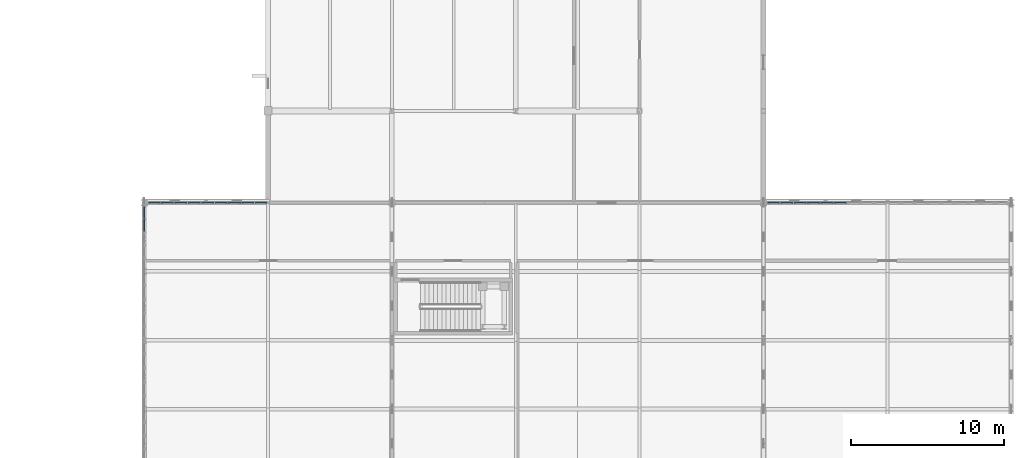
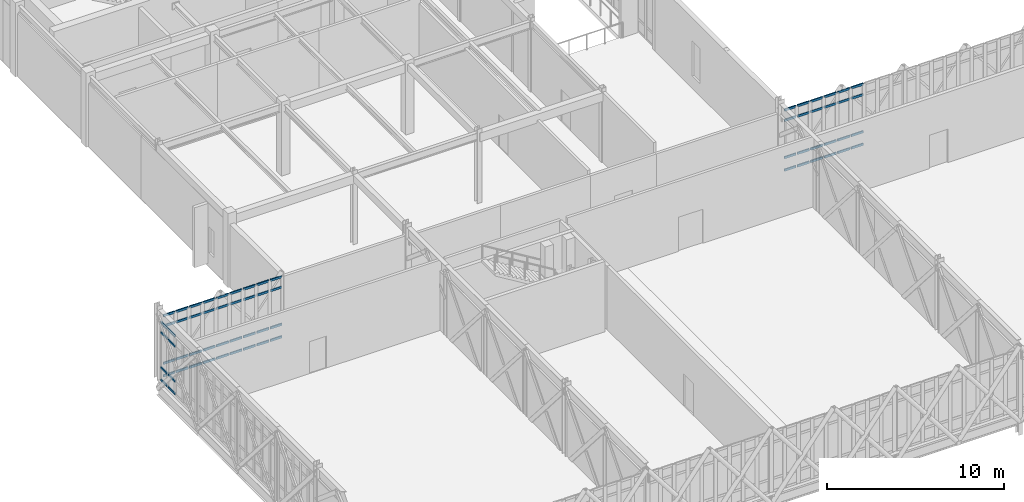
# One storey, part 48 of 107: 68 members, 3 elements without a shape of their own.
"""IFC4 building model written with IfcOpenShell, lengths in metres."""

from ifc_helpers import new_model, si_unit, direction, frame, origin, origin_2d, place, context, subcontext, project, spatial, rectangle, extrude, material, material_profile, profile_set, type_object, element, aggregate, save


model = new_model("IFC4")

# Units and contexts
model_context = context("Model", 3, precision=1e-05, world=origin(), true_north=direction((0.0, 1.0)))
body_context = subcontext(model_context, "Body", "Model", "MODEL_VIEW")
ifc_project = project(units=[si_unit("LENGTHUNIT", "METRE"), si_unit("AREAUNIT", "SQUARE_METRE"), si_unit("VOLUMEUNIT", "CUBIC_METRE"), si_unit("PLANEANGLEUNIT", "RADIAN"), si_unit("MASSUNIT", "GRAM", prefix="KILO")], contexts=[model_context])

# Site, building, storey
site_placement = place(None, origin())
site = spatial("IfcSite", under=ifc_project, at=site_placement, CompositionType="ELEMENT")
building_placement = place(site_placement, origin())
building = spatial("IfcBuilding", under=site, at=building_placement, Name="Tarnveldt Square Police Headquarters", CompositionType="ELEMENT")
storey_placement = place(building_placement, frame((0.0, 0.0, 14.699951171875)))
storey = spatial("IfcBuildingStorey", under=building, at=storey_placement, Name="L03", CompositionType="ELEMENT", Elevation=14.699951171875)

# Curtain wall, members
ifc_material_1 = material(Name="UL 752 Level III laminated ballistic vision glass", Category="glass")
curtain_wall_type_1 = type_object("IfcCurtainWallType", Name="CW-BL-790x422", PredefinedType="USERDEFINED", material=ifc_material_1)
curtain_wall_1_placement = place(storey_placement, origin())
curtain_wall_1 = element("IfcCurtainWall", 1, at=curtain_wall_1_placement, inside=storey, type_object=curtain_wall_type_1, Name="L03 Curtain Wall CW-L03-030", ObjectType="BALLISTIC CURTAIN WALL", PredefinedType="USERDEFINED")
ifc_material_2 = material(Name="Thermally broken anodised aluminium 6063-T6", Category="aluminium")
ifc_material_profile = material_profile(ifc_material_2, rectangle(XDim=0.074951171875, YDim=0.14990234375, at=origin_2d()), Name="CW-T75x150")
ifc_profile_set = profile_set([ifc_material_profile], Name="Thermally broken anodised aluminium 6063-T6")
member_type = type_object("IfcMemberType", Name="CWT-75x150", PredefinedType="USERDEFINED", material=ifc_profile_set)
member_1_placement = place(storey_placement, frame((8.386962890625, 34.0, 0.03759765625), z_axis=(1.0, 0.0, 0.0), x_axis=(0.0, 1.0, 0.0)))
member_1 = element("IfcMember", 2, at=member_1_placement, type_object=member_type, Name="CW-BL14 transom 1.1", ObjectType="TRANSOM", PredefinedType="USERDEFINED", context=body_context, shape_type="SweptSolid", body=[
    extrude(rectangle(XDim=0.074951171875, YDim=0.14990234375, at=origin_2d()), origin(), (0.0, 0.0, 1.0), 0.75),
])
member_2_placement = place(storey_placement, frame((8.386962890625, 34.0, 0.900146484375), z_axis=(1.0, 0.0, 0.0), x_axis=(0.0, 1.0, 0.0)))
member_2 = element("IfcMember", 3, at=member_2_placement, type_object=member_type, Name="CW-BL14 transom 1.2", ObjectType="TRANSOM", PredefinedType="USERDEFINED", context=body_context, shape_type="SweptSolid", body=[
    extrude(rectangle(XDim=0.074951171875, YDim=0.14990234375, at=origin_2d()), origin(), (0.0, 0.0, 1.0), 0.75),
])
member_3_placement = place(storey_placement, frame((8.386962890625, 34.0, 3.469970703125), z_axis=(1.0, 0.0, 0.0), x_axis=(0.0, 1.0, 0.0)))
member_3 = element("IfcMember", 4, at=member_3_placement, type_object=member_type, Name="CW-BL14 transom 1.3", ObjectType="TRANSOM", PredefinedType="USERDEFINED", context=body_context, shape_type="SweptSolid", body=[
    extrude(rectangle(XDim=0.074951171875, YDim=0.14990234375, at=origin_2d()), origin(), (0.0, 0.0, 1.0), 0.75),
])
member_4_placement = place(storey_placement, frame((8.386962890625, 34.0, 4.1826171875), z_axis=(1.0, 0.0, 0.0), x_axis=(0.0, 1.0, 0.0)))
member_4 = element("IfcMember", 5, at=member_4_placement, type_object=member_type, Name="CW-BL14 transom 1.4", ObjectType="TRANSOM", PredefinedType="USERDEFINED", context=body_context, shape_type="SweptSolid", body=[
    extrude(rectangle(XDim=0.074951171875, YDim=0.14990234375, at=origin_2d()), origin(), (0.0, 0.0, 1.0), 0.75),
])
member_5_placement = place(storey_placement, frame((9.22216796875, 34.0, 0.03759765625), z_axis=(1.0, 0.0, 0.0), x_axis=(0.0, 1.0, 0.0)))
member_5 = element("IfcMember", 6, at=member_5_placement, type_object=member_type, Name="CW-BL14 transom 2.1", ObjectType="TRANSOM", PredefinedType="USERDEFINED", context=body_context, shape_type="SweptSolid", body=[
    extrude(rectangle(XDim=0.074951171875, YDim=0.14990234375, at=origin_2d()), origin(), (0.0, 0.0, 1.0), 0.79248046875),
])
member_6_placement = place(storey_placement, frame((9.22216796875, 34.0, 0.900146484375), z_axis=(1.0, 0.0, 0.0), x_axis=(0.0, 1.0, 0.0)))
member_6 = element("IfcMember", 7, at=member_6_placement, type_object=member_type, Name="CW-BL14 transom 2.2", ObjectType="TRANSOM", PredefinedType="USERDEFINED", context=body_context, shape_type="SweptSolid", body=[
    extrude(rectangle(XDim=0.074951171875, YDim=0.14990234375, at=origin_2d()), origin(), (0.0, 0.0, 1.0), 0.79248046875),
])
member_7_placement = place(storey_placement, frame((9.22216796875, 34.0, 3.469970703125), z_axis=(1.0, 0.0, 0.0), x_axis=(0.0, 1.0, 0.0)))
member_7 = element("IfcMember", 8, at=member_7_placement, type_object=member_type, Name="CW-BL14 transom 2.3", ObjectType="TRANSOM", PredefinedType="USERDEFINED", context=body_context, shape_type="SweptSolid", body=[
    extrude(rectangle(XDim=0.074951171875, YDim=0.14990234375, at=origin_2d()), origin(), (0.0, 0.0, 1.0), 0.79248046875),
])
member_8_placement = place(storey_placement, frame((9.22216796875, 34.0, 4.1826171875), z_axis=(1.0, 0.0, 0.0), x_axis=(0.0, 1.0, 0.0)))
member_8 = element("IfcMember", 9, at=member_8_placement, type_object=member_type, Name="CW-BL14 transom 2.4", ObjectType="TRANSOM", PredefinedType="USERDEFINED", context=body_context, shape_type="SweptSolid", body=[
    extrude(rectangle(XDim=0.074951171875, YDim=0.14990234375, at=origin_2d()), origin(), (0.0, 0.0, 1.0), 0.79248046875),
])
member_9_placement = place(storey_placement, frame((10.099609375, 34.0, 0.03759765625), z_axis=(1.0, 0.0, 0.0), x_axis=(0.0, 1.0, 0.0)))
member_9 = element("IfcMember", 10, at=member_9_placement, type_object=member_type, Name="CW-BL14 transom 3.1", ObjectType="TRANSOM", PredefinedType="USERDEFINED", context=body_context, shape_type="SweptSolid", body=[
    extrude(rectangle(XDim=0.074951171875, YDim=0.14990234375, at=origin_2d()), origin(), (0.0, 0.0, 1.0), 0.79248046875),
])
member_10_placement = place(storey_placement, frame((10.099609375, 34.0, 0.900146484375), z_axis=(1.0, 0.0, 0.0), x_axis=(0.0, 1.0, 0.0)))
member_10 = element("IfcMember", 11, at=member_10_placement, type_object=member_type, Name="CW-BL14 transom 3.2", ObjectType="TRANSOM", PredefinedType="USERDEFINED", context=body_context, shape_type="SweptSolid", body=[
    extrude(rectangle(XDim=0.074951171875, YDim=0.14990234375, at=origin_2d()), origin(), (0.0, 0.0, 1.0), 0.79248046875),
])
member_11_placement = place(storey_placement, frame((10.099609375, 34.0, 3.469970703125), z_axis=(1.0, 0.0, 0.0), x_axis=(0.0, 1.0, 0.0)))
member_11 = element("IfcMember", 12, at=member_11_placement, type_object=member_type, Name="CW-BL14 transom 3.3", ObjectType="TRANSOM", PredefinedType="USERDEFINED", context=body_context, shape_type="SweptSolid", body=[
    extrude(rectangle(XDim=0.074951171875, YDim=0.14990234375, at=origin_2d()), origin(), (0.0, 0.0, 1.0), 0.79248046875),
])
member_12_placement = place(storey_placement, frame((10.099609375, 34.0, 4.1826171875), z_axis=(1.0, 0.0, 0.0), x_axis=(0.0, 1.0, 0.0)))
member_12 = element("IfcMember", 13, at=member_12_placement, type_object=member_type, Name="CW-BL14 transom 3.4", ObjectType="TRANSOM", PredefinedType="USERDEFINED", context=body_context, shape_type="SweptSolid", body=[
    extrude(rectangle(XDim=0.074951171875, YDim=0.14990234375, at=origin_2d()), origin(), (0.0, 0.0, 1.0), 0.79248046875),
])
member_13_placement = place(storey_placement, frame((10.97705078125, 34.0, 0.03759765625), z_axis=(1.0, 0.0, 0.0), x_axis=(0.0, 1.0, 0.0)))
member_13 = element("IfcMember", 14, at=member_13_placement, type_object=member_type, Name="CW-BL14 transom 4.1", ObjectType="TRANSOM", PredefinedType="USERDEFINED", context=body_context, shape_type="SweptSolid", body=[
    extrude(rectangle(XDim=0.074951171875, YDim=0.14990234375, at=origin_2d()), origin(), (0.0, 0.0, 1.0), 0.792724609375),
])
member_14_placement = place(storey_placement, frame((10.97705078125, 34.0, 0.900146484375), z_axis=(1.0, 0.0, 0.0), x_axis=(0.0, 1.0, 0.0)))
member_14 = element("IfcMember", 15, at=member_14_placement, type_object=member_type, Name="CW-BL14 transom 4.2", ObjectType="TRANSOM", PredefinedType="USERDEFINED", context=body_context, shape_type="SweptSolid", body=[
    extrude(rectangle(XDim=0.074951171875, YDim=0.14990234375, at=origin_2d()), origin(), (0.0, 0.0, 1.0), 0.792724609375),
])
member_15_placement = place(storey_placement, frame((10.97705078125, 34.0, 3.469970703125), z_axis=(1.0, 0.0, 0.0), x_axis=(0.0, 1.0, 0.0)))
member_15 = element("IfcMember", 16, at=member_15_placement, type_object=member_type, Name="CW-BL14 transom 4.3", ObjectType="TRANSOM", PredefinedType="USERDEFINED", context=body_context, shape_type="SweptSolid", body=[
    extrude(rectangle(XDim=0.074951171875, YDim=0.14990234375, at=origin_2d()), origin(), (0.0, 0.0, 1.0), 0.792724609375),
])
member_16_placement = place(storey_placement, frame((10.97705078125, 34.0, 4.1826171875), z_axis=(1.0, 0.0, 0.0), x_axis=(0.0, 1.0, 0.0)))
member_16 = element("IfcMember", 17, at=member_16_placement, type_object=member_type, Name="CW-BL14 transom 4.4", ObjectType="TRANSOM", PredefinedType="USERDEFINED", context=body_context, shape_type="SweptSolid", body=[
    extrude(rectangle(XDim=0.074951171875, YDim=0.14990234375, at=origin_2d()), origin(), (0.0, 0.0, 1.0), 0.792724609375),
])
member_17_placement = place(storey_placement, frame((11.854736328125, 34.0, 0.03759765625), z_axis=(1.0, 0.0, 0.0), x_axis=(0.0, 1.0, 0.0)))
member_17 = element("IfcMember", 18, at=member_17_placement, type_object=member_type, Name="CW-BL14 transom 5.1", ObjectType="TRANSOM", PredefinedType="USERDEFINED", context=body_context, shape_type="SweptSolid", body=[
    extrude(rectangle(XDim=0.074951171875, YDim=0.14990234375, at=origin_2d()), origin(), (0.0, 0.0, 1.0), 0.79248046875),
])
member_18_placement = place(storey_placement, frame((11.854736328125, 34.0, 0.900146484375), z_axis=(1.0, 0.0, 0.0), x_axis=(0.0, 1.0, 0.0)))
member_18 = element("IfcMember", 19, at=member_18_placement, type_object=member_type, Name="CW-BL14 transom 5.2", ObjectType="TRANSOM", PredefinedType="USERDEFINED", context=body_context, shape_type="SweptSolid", body=[
    extrude(rectangle(XDim=0.074951171875, YDim=0.14990234375, at=origin_2d()), origin(), (0.0, 0.0, 1.0), 0.79248046875),
])
member_19_placement = place(storey_placement, frame((11.854736328125, 34.0, 3.469970703125), z_axis=(1.0, 0.0, 0.0), x_axis=(0.0, 1.0, 0.0)))
member_19 = element("IfcMember", 20, at=member_19_placement, type_object=member_type, Name="CW-BL14 transom 5.3", ObjectType="TRANSOM", PredefinedType="USERDEFINED", context=body_context, shape_type="SweptSolid", body=[
    extrude(rectangle(XDim=0.074951171875, YDim=0.14990234375, at=origin_2d()), origin(), (0.0, 0.0, 1.0), 0.79248046875),
])
member_20_placement = place(storey_placement, frame((11.854736328125, 34.0, 4.1826171875), z_axis=(1.0, 0.0, 0.0), x_axis=(0.0, 1.0, 0.0)))
member_20 = element("IfcMember", 21, at=member_20_placement, type_object=member_type, Name="CW-BL14 transom 5.4", ObjectType="TRANSOM", PredefinedType="USERDEFINED", context=body_context, shape_type="SweptSolid", body=[
    extrude(rectangle(XDim=0.074951171875, YDim=0.14990234375, at=origin_2d()), origin(), (0.0, 0.0, 1.0), 0.79248046875),
])
member_21_placement = place(storey_placement, frame((12.732177734375, 34.0, 0.03759765625), z_axis=(1.0, 0.0, 0.0), x_axis=(0.0, 1.0, 0.0)))
member_21 = element("IfcMember", 22, at=member_21_placement, type_object=member_type, Name="CW-BL14 transom 6.1", ObjectType="TRANSOM", PredefinedType="USERDEFINED", context=body_context, shape_type="SweptSolid", body=[
    extrude(rectangle(XDim=0.074951171875, YDim=0.14990234375, at=origin_2d()), origin(), (0.0, 0.0, 1.0), 0.792724609375),
])
member_22_placement = place(storey_placement, frame((12.732177734375, 34.0, 0.900146484375), z_axis=(1.0, 0.0, 0.0), x_axis=(0.0, 1.0, 0.0)))
member_22 = element("IfcMember", 23, at=member_22_placement, type_object=member_type, Name="CW-BL14 transom 6.2", ObjectType="TRANSOM", PredefinedType="USERDEFINED", context=body_context, shape_type="SweptSolid", body=[
    extrude(rectangle(XDim=0.074951171875, YDim=0.14990234375, at=origin_2d()), origin(), (0.0, 0.0, 1.0), 0.792724609375),
])
member_23_placement = place(storey_placement, frame((12.732177734375, 34.0, 3.469970703125), z_axis=(1.0, 0.0, 0.0), x_axis=(0.0, 1.0, 0.0)))
member_23 = element("IfcMember", 24, at=member_23_placement, type_object=member_type, Name="CW-BL14 transom 6.3", ObjectType="TRANSOM", PredefinedType="USERDEFINED", context=body_context, shape_type="SweptSolid", body=[
    extrude(rectangle(XDim=0.074951171875, YDim=0.14990234375, at=origin_2d()), origin(), (0.0, 0.0, 1.0), 0.792724609375),
])
member_24_placement = place(storey_placement, frame((12.732177734375, 34.0, 4.1826171875), z_axis=(1.0, 0.0, 0.0), x_axis=(0.0, 1.0, 0.0)))
member_24 = element("IfcMember", 25, at=member_24_placement, type_object=member_type, Name="CW-BL14 transom 6.4", ObjectType="TRANSOM", PredefinedType="USERDEFINED", context=body_context, shape_type="SweptSolid", body=[
    extrude(rectangle(XDim=0.074951171875, YDim=0.14990234375, at=origin_2d()), origin(), (0.0, 0.0, 1.0), 0.792724609375),
])
member_25_placement = place(storey_placement, frame((13.60986328125, 34.0, 0.03759765625), z_axis=(1.0, 0.0, 0.0), x_axis=(0.0, 1.0, 0.0)))
member_25 = element("IfcMember", 26, at=member_25_placement, type_object=member_type, Name="CW-BL14 transom 7.1", ObjectType="TRANSOM", PredefinedType="USERDEFINED", context=body_context, shape_type="SweptSolid", body=[
    extrude(rectangle(XDim=0.074951171875, YDim=0.14990234375, at=origin_2d()), origin(), (0.0, 0.0, 1.0), 0.79248046875),
])
member_26_placement = place(storey_placement, frame((13.60986328125, 34.0, 0.900146484375), z_axis=(1.0, 0.0, 0.0), x_axis=(0.0, 1.0, 0.0)))
member_26 = element("IfcMember", 27, at=member_26_placement, type_object=member_type, Name="CW-BL14 transom 7.2", ObjectType="TRANSOM", PredefinedType="USERDEFINED", context=body_context, shape_type="SweptSolid", body=[
    extrude(rectangle(XDim=0.074951171875, YDim=0.14990234375, at=origin_2d()), origin(), (0.0, 0.0, 1.0), 0.79248046875),
])
member_27_placement = place(storey_placement, frame((13.60986328125, 34.0, 3.469970703125), z_axis=(1.0, 0.0, 0.0), x_axis=(0.0, 1.0, 0.0)))
member_27 = element("IfcMember", 28, at=member_27_placement, type_object=member_type, Name="CW-BL14 transom 7.3", ObjectType="TRANSOM", PredefinedType="USERDEFINED", context=body_context, shape_type="SweptSolid", body=[
    extrude(rectangle(XDim=0.074951171875, YDim=0.14990234375, at=origin_2d()), origin(), (0.0, 0.0, 1.0), 0.79248046875),
])
member_28_placement = place(storey_placement, frame((13.60986328125, 34.0, 4.1826171875), z_axis=(1.0, 0.0, 0.0), x_axis=(0.0, 1.0, 0.0)))
member_28 = element("IfcMember", 29, at=member_28_placement, type_object=member_type, Name="CW-BL14 transom 7.4", ObjectType="TRANSOM", PredefinedType="USERDEFINED", context=body_context, shape_type="SweptSolid", body=[
    extrude(rectangle(XDim=0.074951171875, YDim=0.14990234375, at=origin_2d()), origin(), (0.0, 0.0, 1.0), 0.79248046875),
])
member_29_placement = place(storey_placement, frame((14.4873046875, 34.0, 0.03759765625), z_axis=(1.0, 0.0, 0.0), x_axis=(0.0, 1.0, 0.0)))
member_29 = element("IfcMember", 30, at=member_29_placement, type_object=member_type, Name="CW-BL14 transom 8.1", ObjectType="TRANSOM", PredefinedType="USERDEFINED", context=body_context, shape_type="SweptSolid", body=[
    extrude(rectangle(XDim=0.074951171875, YDim=0.14990234375, at=origin_2d()), origin(), (0.0, 0.0, 1.0), 0.792724609375),
])
member_30_placement = place(storey_placement, frame((14.4873046875, 34.0, 0.900146484375), z_axis=(1.0, 0.0, 0.0), x_axis=(0.0, 1.0, 0.0)))
member_30 = element("IfcMember", 31, at=member_30_placement, type_object=member_type, Name="CW-BL14 transom 8.2", ObjectType="TRANSOM", PredefinedType="USERDEFINED", context=body_context, shape_type="SweptSolid", body=[
    extrude(rectangle(XDim=0.074951171875, YDim=0.14990234375, at=origin_2d()), origin(), (0.0, 0.0, 1.0), 0.792724609375),
])
member_31_placement = place(storey_placement, frame((14.4873046875, 34.0, 3.469970703125), z_axis=(1.0, 0.0, 0.0), x_axis=(0.0, 1.0, 0.0)))
member_31 = element("IfcMember", 32, at=member_31_placement, type_object=member_type, Name="CW-BL14 transom 8.3", ObjectType="TRANSOM", PredefinedType="USERDEFINED", context=body_context, shape_type="SweptSolid", body=[
    extrude(rectangle(XDim=0.074951171875, YDim=0.14990234375, at=origin_2d()), origin(), (0.0, 0.0, 1.0), 0.792724609375),
])
member_32_placement = place(storey_placement, frame((14.4873046875, 34.0, 4.1826171875), z_axis=(1.0, 0.0, 0.0), x_axis=(0.0, 1.0, 0.0)))
member_32 = element("IfcMember", 33, at=member_32_placement, type_object=member_type, Name="CW-BL14 transom 8.4", ObjectType="TRANSOM", PredefinedType="USERDEFINED", context=body_context, shape_type="SweptSolid", body=[
    extrude(rectangle(XDim=0.074951171875, YDim=0.14990234375, at=origin_2d()), origin(), (0.0, 0.0, 1.0), 0.792724609375),
])
member_33_placement = place(storey_placement, frame((15.364990234375, 34.0, 0.03759765625), z_axis=(1.0, 0.0, 0.0), x_axis=(0.0, 1.0, 0.0)))
member_33 = element("IfcMember", 34, at=member_33_placement, type_object=member_type, Name="CW-BL14 transom 9.1", ObjectType="TRANSOM", PredefinedType="USERDEFINED", context=body_context, shape_type="SweptSolid", body=[
    extrude(rectangle(XDim=0.074951171875, YDim=0.14990234375, at=origin_2d()), origin(), (0.0, 0.0, 1.0), 0.75),
])
member_34_placement = place(storey_placement, frame((15.364990234375, 34.0, 0.900146484375), z_axis=(1.0, 0.0, 0.0), x_axis=(0.0, 1.0, 0.0)))
member_34 = element("IfcMember", 35, at=member_34_placement, type_object=member_type, Name="CW-BL14 transom 9.2", ObjectType="TRANSOM", PredefinedType="USERDEFINED", context=body_context, shape_type="SweptSolid", body=[
    extrude(rectangle(XDim=0.074951171875, YDim=0.14990234375, at=origin_2d()), origin(), (0.0, 0.0, 1.0), 0.75),
])
member_35_placement = place(storey_placement, frame((15.364990234375, 34.0, 3.469970703125), z_axis=(1.0, 0.0, 0.0), x_axis=(0.0, 1.0, 0.0)))
member_35 = element("IfcMember", 36, at=member_35_placement, type_object=member_type, Name="CW-BL14 transom 9.3", ObjectType="TRANSOM", PredefinedType="USERDEFINED", context=body_context, shape_type="SweptSolid", body=[
    extrude(rectangle(XDim=0.074951171875, YDim=0.14990234375, at=origin_2d()), origin(), (0.0, 0.0, 1.0), 0.75),
])
member_36_placement = place(storey_placement, frame((15.364990234375, 34.0, 4.1826171875), z_axis=(1.0, 0.0, 0.0), x_axis=(0.0, 1.0, 0.0)))
member_36 = element("IfcMember", 37, at=member_36_placement, type_object=member_type, Name="CW-BL14 transom 9.4", ObjectType="TRANSOM", PredefinedType="USERDEFINED", context=body_context, shape_type="SweptSolid", body=[
    extrude(rectangle(XDim=0.074951171875, YDim=0.14990234375, at=origin_2d()), origin(), (0.0, 0.0, 1.0), 0.75),
])
aggregate(curtain_wall_1, [member_1, member_2, member_3, member_4, member_5, member_6, member_7, member_8, member_9, member_10, member_11, member_12, member_13, member_14, member_15, member_16, member_17, member_18, member_19, member_20, member_21, member_22, member_23, member_24, member_25, member_26, member_27, member_28, member_29, member_30, member_31, member_32, member_33, member_34, member_35, member_36])

curtain_wall_2_placement = place(storey_placement, origin())
curtain_wall_2 = element("IfcCurtainWall", 38, at=curtain_wall_2_placement, inside=storey, type_object=curtain_wall_type_1, Name="L03 Curtain Wall CW-L03-031", ObjectType="BALLISTIC CURTAIN WALL", PredefinedType="USERDEFINED")
member_37_placement = place(storey_placement, frame((48.886962890625, 34.0, 0.03759765625), z_axis=(1.0, 0.0, 0.0), x_axis=(0.0, 1.0, 0.0)))
member_37 = element("IfcMember", 39, at=member_37_placement, type_object=member_type, Name="CW-BL14 transom 1.1", ObjectType="TRANSOM", PredefinedType="USERDEFINED", context=body_context, shape_type="SweptSolid", body=[
    extrude(rectangle(XDim=0.074951171875, YDim=0.14990234375, at=origin_2d()), origin(), (0.0, 0.0, 1.0), 0.75),
])
member_38_placement = place(storey_placement, frame((48.886962890625, 34.0, 0.900146484375), z_axis=(1.0, 0.0, 0.0), x_axis=(0.0, 1.0, 0.0)))
member_38 = element("IfcMember", 40, at=member_38_placement, type_object=member_type, Name="CW-BL14 transom 1.2", ObjectType="TRANSOM", PredefinedType="USERDEFINED", context=body_context, shape_type="SweptSolid", body=[
    extrude(rectangle(XDim=0.074951171875, YDim=0.14990234375, at=origin_2d()), origin(), (0.0, 0.0, 1.0), 0.75),
])
member_39_placement = place(storey_placement, frame((48.886962890625, 34.0, 3.469970703125), z_axis=(1.0, 0.0, 0.0), x_axis=(0.0, 1.0, 0.0)))
member_39 = element("IfcMember", 41, at=member_39_placement, type_object=member_type, Name="CW-BL14 transom 1.3", ObjectType="TRANSOM", PredefinedType="USERDEFINED", context=body_context, shape_type="SweptSolid", body=[
    extrude(rectangle(XDim=0.074951171875, YDim=0.14990234375, at=origin_2d()), origin(), (0.0, 0.0, 1.0), 0.75),
])
member_40_placement = place(storey_placement, frame((48.886962890625, 34.0, 4.1826171875), z_axis=(1.0, 0.0, 0.0), x_axis=(0.0, 1.0, 0.0)))
member_40 = element("IfcMember", 42, at=member_40_placement, type_object=member_type, Name="CW-BL14 transom 1.4", ObjectType="TRANSOM", PredefinedType="USERDEFINED", context=body_context, shape_type="SweptSolid", body=[
    extrude(rectangle(XDim=0.074951171875, YDim=0.14990234375, at=origin_2d()), origin(), (0.0, 0.0, 1.0), 0.75),
])
member_41_placement = place(storey_placement, frame((49.72216796875, 34.0, 0.03759765625), z_axis=(1.0, 0.0, 0.0), x_axis=(0.0, 1.0, 0.0)))
member_41 = element("IfcMember", 43, at=member_41_placement, type_object=member_type, Name="CW-BL14 transom 2.1", ObjectType="TRANSOM", PredefinedType="USERDEFINED", context=body_context, shape_type="SweptSolid", body=[
    extrude(rectangle(XDim=0.074951171875, YDim=0.14990234375, at=origin_2d()), origin(), (0.0, 0.0, 1.0), 0.79248046875),
])
member_42_placement = place(storey_placement, frame((49.72216796875, 34.0, 0.900146484375), z_axis=(1.0, 0.0, 0.0), x_axis=(0.0, 1.0, 0.0)))
member_42 = element("IfcMember", 44, at=member_42_placement, type_object=member_type, Name="CW-BL14 transom 2.2", ObjectType="TRANSOM", PredefinedType="USERDEFINED", context=body_context, shape_type="SweptSolid", body=[
    extrude(rectangle(XDim=0.074951171875, YDim=0.14990234375, at=origin_2d()), origin(), (0.0, 0.0, 1.0), 0.79248046875),
])
member_43_placement = place(storey_placement, frame((49.72216796875, 34.0, 3.469970703125), z_axis=(1.0, 0.0, 0.0), x_axis=(0.0, 1.0, 0.0)))
member_43 = element("IfcMember", 45, at=member_43_placement, type_object=member_type, Name="CW-BL14 transom 2.3", ObjectType="TRANSOM", PredefinedType="USERDEFINED", context=body_context, shape_type="SweptSolid", body=[
    extrude(rectangle(XDim=0.074951171875, YDim=0.14990234375, at=origin_2d()), origin(), (0.0, 0.0, 1.0), 0.79248046875),
])
member_44_placement = place(storey_placement, frame((49.72216796875, 34.0, 4.1826171875), z_axis=(1.0, 0.0, 0.0), x_axis=(0.0, 1.0, 0.0)))
member_44 = element("IfcMember", 46, at=member_44_placement, type_object=member_type, Name="CW-BL14 transom 2.4", ObjectType="TRANSOM", PredefinedType="USERDEFINED", context=body_context, shape_type="SweptSolid", body=[
    extrude(rectangle(XDim=0.074951171875, YDim=0.14990234375, at=origin_2d()), origin(), (0.0, 0.0, 1.0), 0.79248046875),
])
member_45_placement = place(storey_placement, frame((50.599609375, 34.0, 0.03759765625), z_axis=(1.0, 0.0, 0.0), x_axis=(0.0, 1.0, 0.0)))
member_45 = element("IfcMember", 47, at=member_45_placement, type_object=member_type, Name="CW-BL14 transom 3.1", ObjectType="TRANSOM", PredefinedType="USERDEFINED", context=body_context, shape_type="SweptSolid", body=[
    extrude(rectangle(XDim=0.074951171875, YDim=0.14990234375, at=origin_2d()), origin(), (0.0, 0.0, 1.0), 0.79248046875),
])
member_46_placement = place(storey_placement, frame((50.599609375, 34.0, 0.900146484375), z_axis=(1.0, 0.0, 0.0), x_axis=(0.0, 1.0, 0.0)))
member_46 = element("IfcMember", 48, at=member_46_placement, type_object=member_type, Name="CW-BL14 transom 3.2", ObjectType="TRANSOM", PredefinedType="USERDEFINED", context=body_context, shape_type="SweptSolid", body=[
    extrude(rectangle(XDim=0.074951171875, YDim=0.14990234375, at=origin_2d()), origin(), (0.0, 0.0, 1.0), 0.79248046875),
])
member_47_placement = place(storey_placement, frame((50.599609375, 34.0, 3.469970703125), z_axis=(1.0, 0.0, 0.0), x_axis=(0.0, 1.0, 0.0)))
member_47 = element("IfcMember", 49, at=member_47_placement, type_object=member_type, Name="CW-BL14 transom 3.3", ObjectType="TRANSOM", PredefinedType="USERDEFINED", context=body_context, shape_type="SweptSolid", body=[
    extrude(rectangle(XDim=0.074951171875, YDim=0.14990234375, at=origin_2d()), origin(), (0.0, 0.0, 1.0), 0.79248046875),
])
member_48_placement = place(storey_placement, frame((50.599609375, 34.0, 4.1826171875), z_axis=(1.0, 0.0, 0.0), x_axis=(0.0, 1.0, 0.0)))
member_48 = element("IfcMember", 50, at=member_48_placement, type_object=member_type, Name="CW-BL14 transom 3.4", ObjectType="TRANSOM", PredefinedType="USERDEFINED", context=body_context, shape_type="SweptSolid", body=[
    extrude(rectangle(XDim=0.074951171875, YDim=0.14990234375, at=origin_2d()), origin(), (0.0, 0.0, 1.0), 0.79248046875),
])
member_49_placement = place(storey_placement, frame((51.47705078125, 34.0, 0.03759765625), z_axis=(1.0, 0.0, 0.0), x_axis=(0.0, 1.0, 0.0)))
member_49 = element("IfcMember", 51, at=member_49_placement, type_object=member_type, Name="CW-BL14 transom 4.1", ObjectType="TRANSOM", PredefinedType="USERDEFINED", context=body_context, shape_type="SweptSolid", body=[
    extrude(rectangle(XDim=0.074951171875, YDim=0.14990234375, at=origin_2d()), origin(), (0.0, 0.0, 1.0), 0.792724609375),
])
member_50_placement = place(storey_placement, frame((51.47705078125, 34.0, 0.900146484375), z_axis=(1.0, 0.0, 0.0), x_axis=(0.0, 1.0, 0.0)))
member_50 = element("IfcMember", 52, at=member_50_placement, type_object=member_type, Name="CW-BL14 transom 4.2", ObjectType="TRANSOM", PredefinedType="USERDEFINED", context=body_context, shape_type="SweptSolid", body=[
    extrude(rectangle(XDim=0.074951171875, YDim=0.14990234375, at=origin_2d()), origin(), (0.0, 0.0, 1.0), 0.792724609375),
])
member_51_placement = place(storey_placement, frame((51.47705078125, 34.0, 3.469970703125), z_axis=(1.0, 0.0, 0.0), x_axis=(0.0, 1.0, 0.0)))
member_51 = element("IfcMember", 53, at=member_51_placement, type_object=member_type, Name="CW-BL14 transom 4.3", ObjectType="TRANSOM", PredefinedType="USERDEFINED", context=body_context, shape_type="SweptSolid", body=[
    extrude(rectangle(XDim=0.074951171875, YDim=0.14990234375, at=origin_2d()), origin(), (0.0, 0.0, 1.0), 0.792724609375),
])
member_52_placement = place(storey_placement, frame((51.47705078125, 34.0, 4.1826171875), z_axis=(1.0, 0.0, 0.0), x_axis=(0.0, 1.0, 0.0)))
member_52 = element("IfcMember", 54, at=member_52_placement, type_object=member_type, Name="CW-BL14 transom 4.4", ObjectType="TRANSOM", PredefinedType="USERDEFINED", context=body_context, shape_type="SweptSolid", body=[
    extrude(rectangle(XDim=0.074951171875, YDim=0.14990234375, at=origin_2d()), origin(), (0.0, 0.0, 1.0), 0.792724609375),
])
member_53_placement = place(storey_placement, frame((52.354736328125, 34.0, 0.03759765625), z_axis=(1.0, 0.0, 0.0), x_axis=(0.0, 1.0, 0.0)))
member_53 = element("IfcMember", 55, at=member_53_placement, type_object=member_type, Name="CW-BL14 transom 5.1", ObjectType="TRANSOM", PredefinedType="USERDEFINED", context=body_context, shape_type="SweptSolid", body=[
    extrude(rectangle(XDim=0.074951171875, YDim=0.14990234375, at=origin_2d()), origin(), (0.0, 0.0, 1.0), 0.79248046875),
])
member_54_placement = place(storey_placement, frame((52.354736328125, 34.0, 0.900146484375), z_axis=(1.0, 0.0, 0.0), x_axis=(0.0, 1.0, 0.0)))
member_54 = element("IfcMember", 56, at=member_54_placement, type_object=member_type, Name="CW-BL14 transom 5.2", ObjectType="TRANSOM", PredefinedType="USERDEFINED", context=body_context, shape_type="SweptSolid", body=[
    extrude(rectangle(XDim=0.074951171875, YDim=0.14990234375, at=origin_2d()), origin(), (0.0, 0.0, 1.0), 0.79248046875),
])
member_55_placement = place(storey_placement, frame((52.354736328125, 34.0, 3.469970703125), z_axis=(1.0, 0.0, 0.0), x_axis=(0.0, 1.0, 0.0)))
member_55 = element("IfcMember", 57, at=member_55_placement, type_object=member_type, Name="CW-BL14 transom 5.3", ObjectType="TRANSOM", PredefinedType="USERDEFINED", context=body_context, shape_type="SweptSolid", body=[
    extrude(rectangle(XDim=0.074951171875, YDim=0.14990234375, at=origin_2d()), origin(), (0.0, 0.0, 1.0), 0.79248046875),
])
member_56_placement = place(storey_placement, frame((52.354736328125, 34.0, 4.1826171875), z_axis=(1.0, 0.0, 0.0), x_axis=(0.0, 1.0, 0.0)))
member_56 = element("IfcMember", 58, at=member_56_placement, type_object=member_type, Name="CW-BL14 transom 5.4", ObjectType="TRANSOM", PredefinedType="USERDEFINED", context=body_context, shape_type="SweptSolid", body=[
    extrude(rectangle(XDim=0.074951171875, YDim=0.14990234375, at=origin_2d()), origin(), (0.0, 0.0, 1.0), 0.79248046875),
])
member_57_placement = place(storey_placement, frame((53.232177734375, 34.0, 0.03759765625), z_axis=(1.0, 0.0, 0.0), x_axis=(0.0, 1.0, 0.0)))
member_57 = element("IfcMember", 59, at=member_57_placement, type_object=member_type, Name="CW-BL14 transom 6.1", ObjectType="TRANSOM", PredefinedType="USERDEFINED", context=body_context, shape_type="SweptSolid", body=[
    extrude(rectangle(XDim=0.074951171875, YDim=0.14990234375, at=origin_2d()), origin(), (0.0, 0.0, 1.0), 0.792724609375),
])
member_58_placement = place(storey_placement, frame((53.232177734375, 34.0, 0.900146484375), z_axis=(1.0, 0.0, 0.0), x_axis=(0.0, 1.0, 0.0)))
member_58 = element("IfcMember", 60, at=member_58_placement, type_object=member_type, Name="CW-BL14 transom 6.2", ObjectType="TRANSOM", PredefinedType="USERDEFINED", context=body_context, shape_type="SweptSolid", body=[
    extrude(rectangle(XDim=0.074951171875, YDim=0.14990234375, at=origin_2d()), origin(), (0.0, 0.0, 1.0), 0.792724609375),
])
member_59_placement = place(storey_placement, frame((53.232177734375, 34.0, 3.469970703125), z_axis=(1.0, 0.0, 0.0), x_axis=(0.0, 1.0, 0.0)))
member_59 = element("IfcMember", 61, at=member_59_placement, type_object=member_type, Name="CW-BL14 transom 6.3", ObjectType="TRANSOM", PredefinedType="USERDEFINED", context=body_context, shape_type="SweptSolid", body=[
    extrude(rectangle(XDim=0.074951171875, YDim=0.14990234375, at=origin_2d()), origin(), (0.0, 0.0, 1.0), 0.792724609375),
])
member_60_placement = place(storey_placement, frame((53.232177734375, 34.0, 4.1826171875), z_axis=(1.0, 0.0, 0.0), x_axis=(0.0, 1.0, 0.0)))
member_60 = element("IfcMember", 62, at=member_60_placement, type_object=member_type, Name="CW-BL14 transom 6.4", ObjectType="TRANSOM", PredefinedType="USERDEFINED", context=body_context, shape_type="SweptSolid", body=[
    extrude(rectangle(XDim=0.074951171875, YDim=0.14990234375, at=origin_2d()), origin(), (0.0, 0.0, 1.0), 0.792724609375),
])
aggregate(curtain_wall_2, [member_37, member_38, member_39, member_40, member_41, member_42, member_43, member_44, member_45, member_46, member_47, member_48, member_49, member_50, member_51, member_52, member_53, member_54, member_55, member_56, member_57, member_58, member_59, member_60])

ifc_material_3 = material(Name="Triple-glazed low-e laminated vision glass", Category="glass")
curtain_wall_type_2 = type_object("IfcCurtainWallType", Name="CW-LT-430x407", PredefinedType="USERDEFINED", material=ifc_material_3)
curtain_wall_3_placement = place(storey_placement, origin())
curtain_wall_3 = element("IfcCurtainWall", 63, at=curtain_wall_3_placement, inside=storey, type_object=curtain_wall_type_2, Name="L03 Curtain Wall CW-L03-036", ObjectType="GLAZED CURTAIN WALL", PredefinedType="USERDEFINED")
member_61_placement = place(storey_placement, frame((8.10009765625, 32.1162109375, 0.03759765625), z_axis=(0.0, 1.0, 0.0), x_axis=(-1.0, 0.0, 0.0)))
member_61 = element("IfcMember", 64, at=member_61_placement, type_object=member_type, Name="CW-LT15 transom 4.1", ObjectType="TRANSOM", PredefinedType="USERDEFINED", context=body_context, shape_type="SweptSolid", body=[
    extrude(rectangle(XDim=0.074951171875, YDim=0.14990234375, at=origin_2d()), origin(), (0.0, 0.0, 1.0), 0.78466796875),
])
member_62_placement = place(storey_placement, frame((8.10009765625, 32.1162109375, 0.900146484375), z_axis=(0.0, 1.0, 0.0), x_axis=(-1.0, 0.0, 0.0)))
member_62 = element("IfcMember", 65, at=member_62_placement, type_object=member_type, Name="CW-LT15 transom 4.2", ObjectType="TRANSOM", PredefinedType="USERDEFINED", context=body_context, shape_type="SweptSolid", body=[
    extrude(rectangle(XDim=0.074951171875, YDim=0.14990234375, at=origin_2d()), origin(), (0.0, 0.0, 1.0), 0.78466796875),
])
member_63_placement = place(storey_placement, frame((8.10009765625, 32.1162109375, 3.316162109375), z_axis=(0.0, 1.0, 0.0), x_axis=(-1.0, 0.0, 0.0)))
member_63 = element("IfcMember", 66, at=member_63_placement, type_object=member_type, Name="CW-LT15 transom 4.3", ObjectType="TRANSOM", PredefinedType="USERDEFINED", context=body_context, shape_type="SweptSolid", body=[
    extrude(rectangle(XDim=0.074951171875, YDim=0.14990234375, at=origin_2d()), origin(), (0.0, 0.0, 1.0), 0.78466796875),
])
member_64_placement = place(storey_placement, frame((8.10009765625, 32.1162109375, 4.028564453125), z_axis=(0.0, 1.0, 0.0), x_axis=(-1.0, 0.0, 0.0)))
member_64 = element("IfcMember", 67, at=member_64_placement, type_object=member_type, Name="CW-LT15 transom 4.4", ObjectType="TRANSOM", PredefinedType="USERDEFINED", context=body_context, shape_type="SweptSolid", body=[
    extrude(rectangle(XDim=0.074951171875, YDim=0.14990234375, at=origin_2d()), origin(), (0.0, 0.0, 1.0), 0.78466796875),
])
member_65_placement = place(storey_placement, frame((8.10009765625, 32.975830078125, 0.03759765625), z_axis=(0.0, 1.0, 0.0), x_axis=(-1.0, 0.0, 0.0)))
member_65 = element("IfcMember", 68, at=member_65_placement, type_object=member_type, Name="CW-LT15 transom 5.1", ObjectType="TRANSOM", PredefinedType="USERDEFINED", context=body_context, shape_type="SweptSolid", body=[
    extrude(rectangle(XDim=0.074951171875, YDim=0.14990234375, at=origin_2d()), origin(), (0.0, 0.0, 1.0), 0.7470703125),
])
member_66_placement = place(storey_placement, frame((8.10009765625, 32.975830078125, 0.900146484375), z_axis=(0.0, 1.0, 0.0), x_axis=(-1.0, 0.0, 0.0)))
member_66 = element("IfcMember", 69, at=member_66_placement, type_object=member_type, Name="CW-LT15 transom 5.2", ObjectType="TRANSOM", PredefinedType="USERDEFINED", context=body_context, shape_type="SweptSolid", body=[
    extrude(rectangle(XDim=0.074951171875, YDim=0.14990234375, at=origin_2d()), origin(), (0.0, 0.0, 1.0), 0.7470703125),
])
member_67_placement = place(storey_placement, frame((8.10009765625, 32.975830078125, 3.316162109375), z_axis=(0.0, 1.0, 0.0), x_axis=(-1.0, 0.0, 0.0)))
member_67 = element("IfcMember", 70, at=member_67_placement, type_object=member_type, Name="CW-LT15 transom 5.3", ObjectType="TRANSOM", PredefinedType="USERDEFINED", context=body_context, shape_type="SweptSolid", body=[
    extrude(rectangle(XDim=0.074951171875, YDim=0.14990234375, at=origin_2d()), origin(), (0.0, 0.0, 1.0), 0.7470703125),
])
member_68_placement = place(storey_placement, frame((8.10009765625, 32.975830078125, 4.028564453125), z_axis=(0.0, 1.0, 0.0), x_axis=(-1.0, 0.0, 0.0)))
member_68 = element("IfcMember", 71, at=member_68_placement, type_object=member_type, Name="CW-LT15 transom 5.4", ObjectType="TRANSOM", PredefinedType="USERDEFINED", context=body_context, shape_type="SweptSolid", body=[
    extrude(rectangle(XDim=0.074951171875, YDim=0.14990234375, at=origin_2d()), origin(), (0.0, 0.0, 1.0), 0.7470703125),
])
aggregate(curtain_wall_3, [member_61, member_62, member_63, member_64, member_65, member_66, member_67, member_68])

save(model, "model.ifc")
